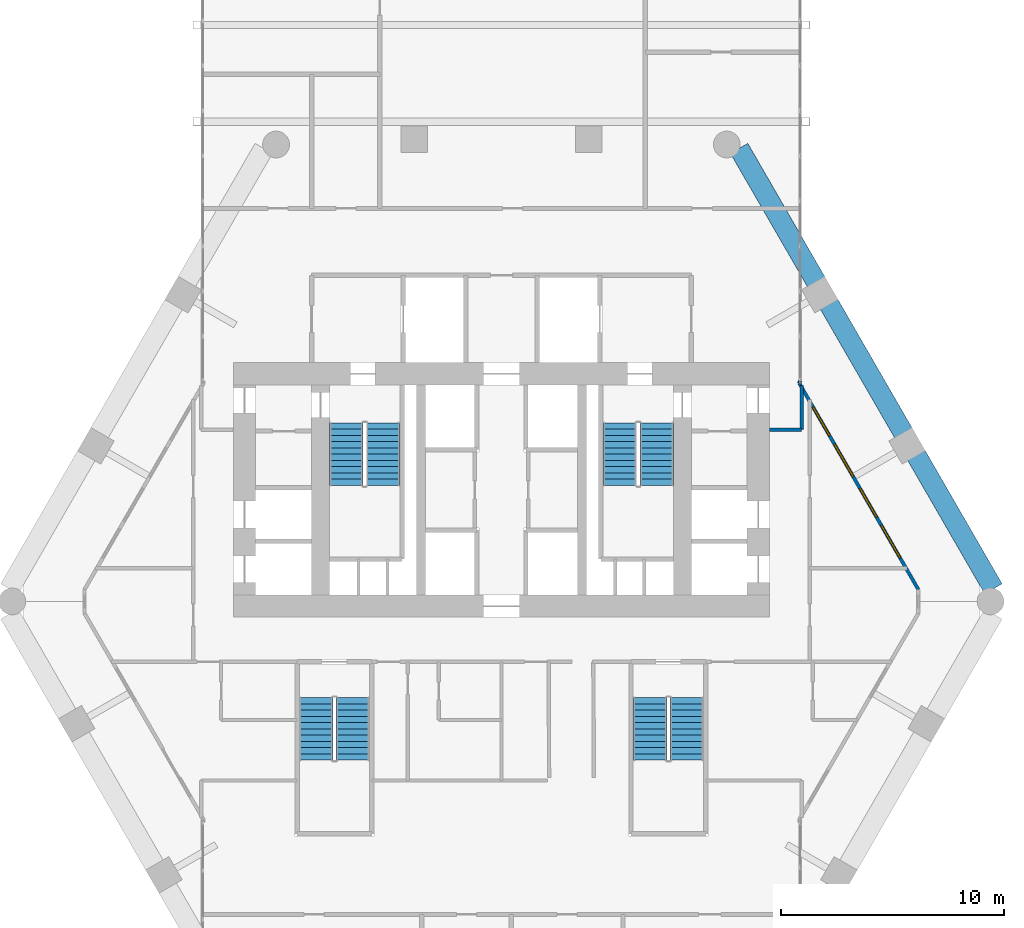
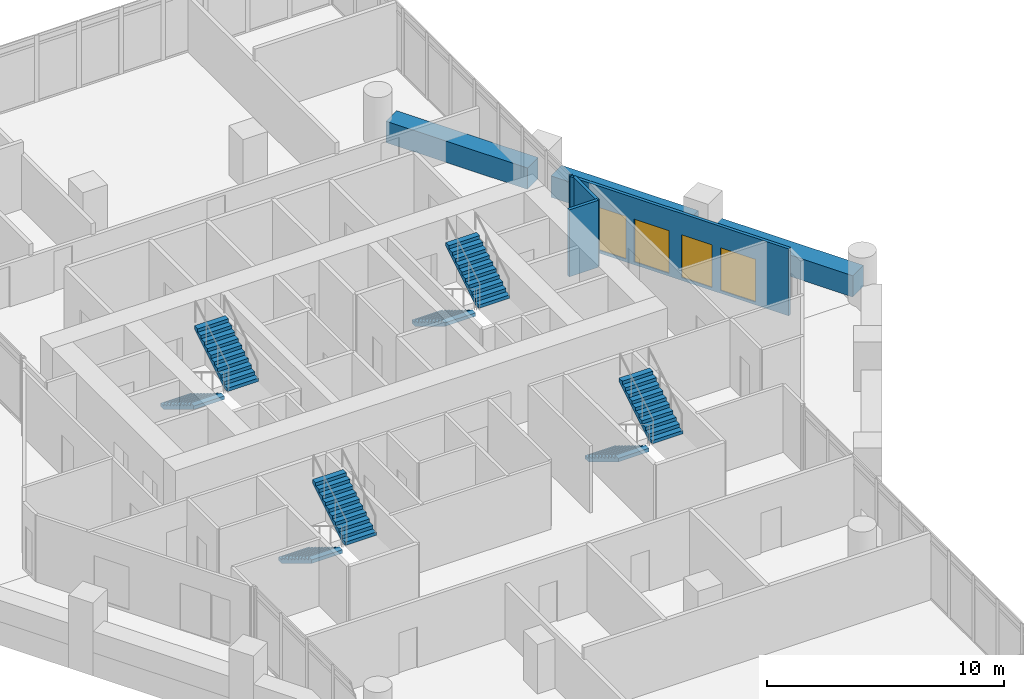
# One storey, part 27 of 28: 8 stair flights, 7 walls, 4 windows, 4 openings, 4 elements without a shape of their own.
"""IFC4 building model written with IfcOpenShell, lengths in metres."""

from ifc_helpers import new_model, si_unit, direction, frame, frame_2d, origin, place, context, subcontext, project, spatial, polyline, rectangle, outline, extrude, material, layer, layer_set, type_object, element, fill, aggregate, save


model = new_model("IFC4")

# Units and contexts
model_context = context("Model", 3, precision=1e-05, world=origin(), true_north=direction((0.0, 1.0)))
body_context = subcontext(model_context, "Body", "Model", "MODEL_VIEW")
ifc_project = project(units=[si_unit("LENGTHUNIT", "METRE"), si_unit("AREAUNIT", "SQUARE_METRE"), si_unit("VOLUMEUNIT", "CUBIC_METRE"), si_unit("PLANEANGLEUNIT", "RADIAN"), si_unit("MASSUNIT", "GRAM", prefix="KILO")], contexts=[model_context])

# Site, building, storey
site_placement = place(None, origin())
site = spatial("IfcSite", under=ifc_project, at=site_placement, CompositionType="ELEMENT")
building_placement = place(site_placement, origin())
building = spatial("IfcBuilding", under=site, at=building_placement, Name="Ostrander Bayou Hotel Tower", CompositionType="ELEMENT")
storey_placement = place(building_placement, frame((0.0, 0.0, 134.75)))
storey = spatial("IfcBuildingStorey", under=building, at=storey_placement, Name="L33", CompositionType="ELEMENT", Elevation=134.75)

# Wall, openings, windows
ifc_material_1 = material(Name="Aluminium framed insulated wall", Category="aluminium")
ifc_layer_1 = layer(ifc_material_1, 0.14990234375)
ifc_layer_set_1 = layer_set([ifc_layer_1], Name="GW1 glass-line wall 150 mm")
wall_type_1 = type_object("IfcWallType", Name="GW1 glass-line wall 150 mm", PredefinedType="SOLIDWALL", material=ifc_layer_set_1)
wall_1_placement = place(storey_placement, frame((18.66259765625, -0.460205078125, 0.0), z_axis=(0.0, 0.0, 1.0), x_axis=(-0.499997430087, 0.866026887519, 0.0)))
wall_1 = element("IfcWall", 1, at=wall_1_placement, inside=storey, type_object=wall_type_1, Name="GW1 L33 NE 1", PredefinedType="SOLIDWALL", context=body_context, shape_type="SweptSolid", body=[
    extrude(rectangle(XDim=10.6572265625, YDim=0.14990234375, at=frame_2d((5.32861328125, 0.0))), origin(), (0.0, 0.0, 1.0), 3.449951171875),
])
opening_1_placement = place(wall_1_placement, frame((1.6298828125, 0.0, 0.14990234375)))
opening_1 = element("IfcOpeningElement", 2, at=opening_1_placement, cuts=wall_1, Name="Opening W8", PredefinedType="OPENING", context=body_context, shape_type="SweptSolid", body=[
    extrude(rectangle(XDim=1.699951171875, YDim=2.199951171875, at=frame_2d((0.85009765625, 1.10009765625))), frame((0.0, 0.074951171875, 0.0), z_axis=(0.0, -1.0, 0.0), x_axis=(1.0, 0.0, 0.0)), (0.0, 0.0, 1.0), 0.14990234375),
])
opening_2_placement = place(wall_1_placement, frame((3.72998046875, 0.0, 0.14990234375)))
opening_2 = element("IfcOpeningElement", 3, at=opening_2_placement, cuts=wall_1, Name="Opening W12", PredefinedType="OPENING", context=body_context, shape_type="SweptSolid", body=[
    extrude(rectangle(XDim=1.5, YDim=2.199951171875, at=frame_2d((0.75, 1.10009765625))), frame((0.0, 0.074951171875, 0.0), z_axis=(0.0, -1.0, 0.0), x_axis=(1.0, 0.0, 0.0)), (0.0, 0.0, 1.0), 0.14990234375),
])
opening_3_placement = place(wall_1_placement, frame((5.830078125, 0.0, 0.14990234375)))
opening_3 = element("IfcOpeningElement", 4, at=opening_3_placement, cuts=wall_1, Name="Opening W8", PredefinedType="OPENING", context=body_context, shape_type="SweptSolid", body=[
    extrude(rectangle(XDim=1.699951171875, YDim=2.199951171875, at=frame_2d((0.85009765625, 1.10009765625))), frame((0.0, 0.074951171875, 0.0), z_axis=(0.0, -1.0, 0.0), x_axis=(1.0, 0.0, 0.0)), (0.0, 0.0, 1.0), 0.14990234375),
])
opening_4_placement = place(wall_1_placement, frame((7.929931640625, 0.0, 0.14990234375)))
opening_4 = element("IfcOpeningElement", 5, at=opening_4_placement, cuts=wall_1, Name="Opening W12", PredefinedType="OPENING", context=body_context, shape_type="SweptSolid", body=[
    extrude(rectangle(XDim=1.5, YDim=2.199951171875, at=frame_2d((0.75, 1.10009765625))), frame((0.0, 0.074951171875, 0.0), z_axis=(0.0, -1.0, 0.0), x_axis=(1.0, 0.0, 0.0)), (0.0, 0.0, 1.0), 0.14990234375),
])
ifc_material_2 = material(Name="Aluminium and clear glass", Category="aluminium")
window_type_1 = type_object("IfcWindowType", Name="W12 fixed window 1500 mm, bath bay, zone 2", PartitioningType="SINGLE_PANEL", PredefinedType="WINDOW", material=ifc_material_2)
window_1_placement = place(opening_2_placement, origin())
window_1 = element("IfcWindow", 6, at=window_1_placement, inside=storey, type_object=window_type_1, Name="W12 L33 NE 1", OverallHeight=2.199951171875, OverallWidth=1.5, PartitioningType="SINGLE_PANEL", PredefinedType="WINDOW", context=body_context, shape_type="SweptSolid", body=[
    extrude(rectangle(XDim=1.5, YDim=2.199951171875, at=frame_2d((0.75, 1.10009765625))), frame((0.0, 0.030029296875, 0.0), z_axis=(0.0, -1.0, 0.0), x_axis=(1.0, 0.0, 0.0)), (0.0, 0.0, 1.0), 0.06005859375),
])
fill(opening_2, window_1)
window_2_placement = place(opening_4_placement, origin())
window_2 = element("IfcWindow", 7, at=window_2_placement, inside=storey, type_object=window_type_1, Name="W12 L33 NE 2", OverallHeight=2.199951171875, OverallWidth=1.5, PartitioningType="SINGLE_PANEL", PredefinedType="WINDOW", context=body_context, shape_type="SweptSolid", body=[
    extrude(rectangle(XDim=1.5, YDim=2.199951171875, at=frame_2d((0.75, 1.10009765625))), frame((0.0, 0.030029296875, 0.0), z_axis=(0.0, -1.0, 0.0), x_axis=(1.0, 0.0, 0.0)), (0.0, 0.0, 1.0), 0.06005859375),
])
fill(opening_4, window_2)
ifc_material_3 = material(Name="Aluminium and clear glass", Category="aluminium")
window_type_2 = type_object("IfcWindowType", Name="W8 fixed window 1700 mm, bar storeys, zone 2", PartitioningType="SINGLE_PANEL", PredefinedType="WINDOW", material=ifc_material_3)
window_3_placement = place(opening_1_placement, origin())
window_3 = element("IfcWindow", 8, at=window_3_placement, inside=storey, type_object=window_type_2, Name="W8 L33 NE 1", OverallHeight=2.199951171875, OverallWidth=1.699951171875, PartitioningType="SINGLE_PANEL", PredefinedType="WINDOW", context=body_context, shape_type="SweptSolid", body=[
    extrude(rectangle(XDim=1.699951171875, YDim=2.199951171875, at=frame_2d((0.85009765625, 1.10009765625))), frame((0.0, 0.030029296875, 0.0), z_axis=(0.0, -1.0, 0.0), x_axis=(1.0, 0.0, 0.0)), (0.0, 0.0, 1.0), 0.06005859375),
])
fill(opening_1, window_3)
window_4_placement = place(opening_3_placement, origin())
window_4 = element("IfcWindow", 9, at=window_4_placement, inside=storey, type_object=window_type_2, Name="W8 L33 NE 2", OverallHeight=2.199951171875, OverallWidth=1.699951171875, PartitioningType="SINGLE_PANEL", PredefinedType="WINDOW", context=body_context, shape_type="SweptSolid", body=[
    extrude(rectangle(XDim=1.699951171875, YDim=2.199951171875, at=frame_2d((0.85009765625, 1.10009765625))), frame((0.0, 0.030029296875, 0.0), z_axis=(0.0, -1.0, 0.0), x_axis=(1.0, 0.0, 0.0)), (0.0, 0.0, 1.0), 0.06005859375),
])
fill(opening_3, window_4)

# Walls
wall_2_placement = place(storey_placement, frame((13.333984375, 8.769287109375, 0.0), z_axis=(0.0, 0.0, 1.0), x_axis=(0.337751931921, 0.941235163221, 0.0)))
element("IfcWall", 10, at=wall_2_placement, inside=storey, type_object=wall_type_1, Name="GW1 L33 bar joint 4", PredefinedType="SOLIDWALL", context=body_context, shape_type="SweptSolid", body=[
    extrude(rectangle(XDim=0.098388671875, YDim=0.14990234375, at=frame_2d((0.04931640625, 0.0))), origin(), (0.0, 0.0, 1.0), 3.449951171875),
])
ifc_material_4 = material(Name="Concrete f'c 40 MPa", Category="concrete")
ifc_layer_2 = layer(ifc_material_4, 0.89990234375)
ifc_layer_set_2 = layer_set([ifc_layer_2], Name="PA1 stone-faced parapet 900 mm")
wall_type_2 = type_object("IfcWallType", Name="PA1 stone-faced parapet 900 mm", PredefinedType="PARAPET", material=ifc_layer_set_2)
wall_3_placement = place(storey_placement, frame((22.022216796875, -0.42919921875, 0.0), z_axis=(0.0, 0.0, 1.0), x_axis=(-0.500017246033, 0.866015446554, 0.0)))
element("IfcWall", 11, at=wall_3_placement, inside=storey, type_object=wall_type_2, Name="PA1 L33 NE-1", PredefinedType="PARAPET", context=body_context, shape_type="SweptSolid", body=[
    extrude(rectangle(XDim=6.906005859375, YDim=0.89990234375, at=frame_2d((3.453125, 0.0))), origin(), (0.0, 0.0, 1.0), 1.10009765625),
])
wall_4_placement = place(storey_placement, frame((17.999267578125, 6.538818359375, 0.0), z_axis=(0.0, 0.0, 1.0), x_axis=(-0.50001062018, 0.866019272134, 0.0)))
element("IfcWall", 12, at=wall_4_placement, inside=storey, type_object=wall_type_2, Name="PA1 L33 NE-2", PredefinedType="PARAPET", context=body_context, shape_type="SweptSolid", body=[
    extrude(rectangle(XDim=6.673583984375, YDim=0.89990234375, at=frame_2d((3.3369140625, 0.0))), origin(), (0.0, 0.0, 1.0), 1.10009765625),
])
wall_5_placement = place(storey_placement, frame((14.09228515625, 13.3056640625, 0.0), z_axis=(0.0, 0.0, 1.0), x_axis=(-0.499990732016, 0.866030754592, 0.0)))
element("IfcWall", 13, at=wall_5_placement, inside=storey, type_object=wall_type_2, Name="PA1 L33 NE-3", PredefinedType="PARAPET", context=body_context, shape_type="SweptSolid", body=[
    extrude(rectangle(XDim=6.906005859375, YDim=0.89990234375, at=frame_2d((3.453125, 0.0))), origin(), (0.0, 0.0, 1.0), 1.10009765625),
])
ifc_material_5 = material(Name="Gypsum board partition", Category="finish")
ifc_layer_3 = layer(ifc_material_5, 0.14990234375)
ifc_layer_set_3 = layer_set([ifc_layer_3], Name="PT8 service band wall 150 mm, 1 hour")
wall_type_3 = type_object("IfcWallType", Name="PT8 service band wall 150 mm, 1 hour", PredefinedType="PARTITIONING", material=ifc_layer_set_3)
wall_6_placement = place(storey_placement, frame((12.010009765625, 6.695068359375, 0.0), z_axis=(0.0, 0.0, 1.0), x_axis=(1.0, 0.0, 0.0)))
element("IfcWall", 14, at=wall_6_placement, inside=storey, type_object=wall_type_3, Name="gw:L33:014", PredefinedType="PARTITIONING", context=body_context, shape_type="SweptSolid", body=[
    extrude(rectangle(XDim=1.429931640625, YDim=0.14990234375, at=frame_2d((0.71484375, 0.0))), origin(), (0.0, 0.0, 1.0), 3.449951171875),
])
wall_7_placement = place(storey_placement, frame((13.43994140625, 6.695068359375, 0.0), z_axis=(0.0, 0.0, 1.0), x_axis=(0.0, 1.0, 0.0)))
element("IfcWall", 15, at=wall_7_placement, inside=storey, type_object=wall_type_3, Name="gw:L33:018", PredefinedType="PARTITIONING", context=body_context, shape_type="SweptSolid", body=[
    extrude(rectangle(XDim=1.98095703125, YDim=0.14990234375, at=frame_2d((0.990478515625, 0.0))), origin(), (0.0, 0.0, 1.0), 3.449951171875),
])

# Stair, stair flights
ifc_material_6 = material(Name="Concrete f'c 45 MPa", Category="concrete")
stair_type = type_object("IfcStairType", Name="ST1 exit stair 1500 mm f'c 45 MPa", PredefinedType="HALF_TURN_STAIR", material=ifc_material_6)
stair_1_placement = place(storey_placement, origin())
stair_1 = element("IfcStair", 16, at=stair_1_placement, inside=storey, type_object=stair_type, Name="L33 exit stair A", PredefinedType="HALF_TURN_STAIR")
ifc_material_7 = material(Name="Concrete f'c 45 MPa", Category="concrete")
stair_flight_type = type_object("IfcStairFlightType", Name="SF1 stair flight 1500 mm f'c 45 MPa", PredefinedType="STRAIGHT", material=ifc_material_7)
stair_flight_1_placement = place(storey_placement, frame((-6.949951171875, 7.0, 0.0), z_axis=(0.0, 0.0, 1.0), x_axis=(0.0, -1.0, 0.0)))
stair_flight_1 = element("IfcStairFlight", 17, at=stair_flight_1_placement, type_object=stair_flight_type, Name="STA flight 1", NumberOfRisers=11, NumberOfTreads=10, PredefinedType="STRAIGHT", RiserHeight=0.170454545, TreadLength=0.28, context=body_context, shape_type="SweptSolid", body=[
    extrude(outline(polyline([(0.0, 0.0), (0.0, 0.17041015625), (0.280029296875, 0.17041015625), (0.280029296875, 0.3408203125), (0.56005859375, 0.3408203125), (0.56005859375, 0.511474609375), (0.840087890625, 0.511474609375), (0.840087890625, 0.681884765625), (1.1201171875, 0.681884765625), (1.1201171875, 0.852294921875), (1.39990234375, 0.852294921875), (1.39990234375, 1.022705078125), (1.679931640625, 1.022705078125), (1.679931640625, 1.193115234375), (1.9599609375, 1.193115234375), (1.9599609375, 1.363525390625), (2.239990234375, 1.363525390625), (2.239990234375, 1.5341796875), (2.52001953125, 1.5341796875), (2.52001953125, 1.70458984375), (2.800048828125, 1.70458984375), (2.800048828125, 1.875), (2.800048828125, 1.529052734375), (0.288330078125, 0.0), (0.0, 0.0)])), frame((0.0, 0.75, 0.0), z_axis=(0.0, -1.0, 0.0), x_axis=(1.0, 0.0, 0.0)), (0.0, 0.0, 1.0), 1.5),
])
stair_flight_2_placement = place(storey_placement, frame((-5.300048828125, 4.199951171875, 1.875), z_axis=(0.0, 0.0, 1.0), x_axis=(0.0, 1.0, 0.0)))
stair_flight_2 = element("IfcStairFlight", 18, at=stair_flight_2_placement, type_object=stair_flight_type, Name="STA flight 2", NumberOfRisers=11, NumberOfTreads=10, PredefinedType="STRAIGHT", RiserHeight=0.170454545, TreadLength=0.28, context=body_context, shape_type="SweptSolid", body=[
    extrude(outline(polyline([(0.0, 0.0), (0.0, 0.17041015625), (0.280029296875, 0.17041015625), (0.280029296875, 0.3408203125), (0.56005859375, 0.3408203125), (0.56005859375, 0.511474609375), (0.840087890625, 0.511474609375), (0.840087890625, 0.681884765625), (1.1201171875, 0.681884765625), (1.1201171875, 0.852294921875), (1.39990234375, 0.852294921875), (1.39990234375, 1.022705078125), (1.679931640625, 1.022705078125), (1.679931640625, 1.193115234375), (1.9599609375, 1.193115234375), (1.9599609375, 1.363525390625), (2.239990234375, 1.363525390625), (2.239990234375, 1.5341796875), (2.52001953125, 1.5341796875), (2.52001953125, 1.70458984375), (2.800048828125, 1.70458984375), (2.800048828125, 1.875), (2.800048828125, 1.529052734375), (0.288330078125, 0.0), (0.0, 0.0)])), frame((0.0, 0.75, 0.0), z_axis=(0.0, -1.0, 0.0), x_axis=(1.0, 0.0, 0.0)), (0.0, 0.0, 1.0), 1.5),
])
aggregate(stair_1, [stair_flight_1, stair_flight_2])

stair_2_placement = place(storey_placement, origin())
stair_2 = element("IfcStair", 19, at=stair_2_placement, inside=storey, type_object=stair_type, Name="L33 exit stair B", PredefinedType="HALF_TURN_STAIR")
stair_flight_3_placement = place(storey_placement, frame((5.300048828125, 7.0, 0.0), z_axis=(0.0, 0.0, 1.0), x_axis=(0.0, -1.0, 0.0)))
stair_flight_3 = element("IfcStairFlight", 20, at=stair_flight_3_placement, type_object=stair_flight_type, Name="STB flight 1", NumberOfRisers=11, NumberOfTreads=10, PredefinedType="STRAIGHT", RiserHeight=0.170454545, TreadLength=0.28, context=body_context, shape_type="SweptSolid", body=[
    extrude(outline(polyline([(0.0, 0.0), (0.0, 0.17041015625), (0.280029296875, 0.17041015625), (0.280029296875, 0.3408203125), (0.56005859375, 0.3408203125), (0.56005859375, 0.511474609375), (0.840087890625, 0.511474609375), (0.840087890625, 0.681884765625), (1.1201171875, 0.681884765625), (1.1201171875, 0.852294921875), (1.39990234375, 0.852294921875), (1.39990234375, 1.022705078125), (1.679931640625, 1.022705078125), (1.679931640625, 1.193115234375), (1.9599609375, 1.193115234375), (1.9599609375, 1.363525390625), (2.239990234375, 1.363525390625), (2.239990234375, 1.5341796875), (2.52001953125, 1.5341796875), (2.52001953125, 1.70458984375), (2.800048828125, 1.70458984375), (2.800048828125, 1.875), (2.800048828125, 1.529052734375), (0.288330078125, 0.0), (0.0, 0.0)])), frame((0.0, 0.75, 0.0), z_axis=(0.0, -1.0, 0.0), x_axis=(1.0, 0.0, 0.0)), (0.0, 0.0, 1.0), 1.5),
])
stair_flight_4_placement = place(storey_placement, frame((6.949951171875, 4.199951171875, 1.875), z_axis=(0.0, 0.0, 1.0), x_axis=(0.0, 1.0, 0.0)))
stair_flight_4 = element("IfcStairFlight", 21, at=stair_flight_4_placement, type_object=stair_flight_type, Name="STB flight 2", NumberOfRisers=11, NumberOfTreads=10, PredefinedType="STRAIGHT", RiserHeight=0.170454545, TreadLength=0.28, context=body_context, shape_type="SweptSolid", body=[
    extrude(outline(polyline([(0.0, 0.0), (0.0, 0.17041015625), (0.280029296875, 0.17041015625), (0.280029296875, 0.3408203125), (0.56005859375, 0.3408203125), (0.56005859375, 0.511474609375), (0.840087890625, 0.511474609375), (0.840087890625, 0.681884765625), (1.1201171875, 0.681884765625), (1.1201171875, 0.852294921875), (1.39990234375, 0.852294921875), (1.39990234375, 1.022705078125), (1.679931640625, 1.022705078125), (1.679931640625, 1.193115234375), (1.9599609375, 1.193115234375), (1.9599609375, 1.363525390625), (2.239990234375, 1.363525390625), (2.239990234375, 1.5341796875), (2.52001953125, 1.5341796875), (2.52001953125, 1.70458984375), (2.800048828125, 1.70458984375), (2.800048828125, 1.875), (2.800048828125, 1.529052734375), (0.288330078125, 0.0), (0.0, 0.0)])), frame((0.0, 0.75, 0.0), z_axis=(0.0, -1.0, 0.0), x_axis=(1.0, 0.0, 0.0)), (0.0, 0.0, 1.0), 1.5),
])
aggregate(stair_2, [stair_flight_3, stair_flight_4])

stair_3_placement = place(storey_placement, origin())
stair_3 = element("IfcStair", 22, at=stair_3_placement, inside=storey, type_object=stair_type, Name="L33 exit stair C", PredefinedType="HALF_TURN_STAIR")
stair_flight_5_placement = place(storey_placement, frame((6.64990234375, -5.300048828125, 0.0), z_axis=(0.0, 0.0, 1.0), x_axis=(0.0, -1.0, 0.0)))
stair_flight_5 = element("IfcStairFlight", 23, at=stair_flight_5_placement, type_object=stair_flight_type, Name="STC flight 1", NumberOfRisers=11, NumberOfTreads=10, PredefinedType="STRAIGHT", RiserHeight=0.170454545, TreadLength=0.28, context=body_context, shape_type="SweptSolid", body=[
    extrude(outline(polyline([(0.0, 0.0), (0.0, 0.17041015625), (0.280029296875, 0.17041015625), (0.280029296875, 0.3408203125), (0.56005859375, 0.3408203125), (0.56005859375, 0.511474609375), (0.840087890625, 0.511474609375), (0.840087890625, 0.681884765625), (1.1201171875, 0.681884765625), (1.1201171875, 0.852294921875), (1.39990234375, 0.852294921875), (1.39990234375, 1.022705078125), (1.679931640625, 1.022705078125), (1.679931640625, 1.193115234375), (1.9599609375, 1.193115234375), (1.9599609375, 1.363525390625), (2.239990234375, 1.363525390625), (2.239990234375, 1.5341796875), (2.52001953125, 1.5341796875), (2.52001953125, 1.70458984375), (2.800048828125, 1.70458984375), (2.800048828125, 1.875), (2.800048828125, 1.529052734375), (0.288330078125, 0.0), (0.0, 0.0)])), frame((0.0, 0.75, 0.0), z_axis=(0.0, -1.0, 0.0), x_axis=(1.0, 0.0, 0.0)), (0.0, 0.0, 1.0), 1.5),
])
stair_flight_6_placement = place(storey_placement, frame((8.300048828125, -8.10009765625, 1.875), z_axis=(0.0, 0.0, 1.0), x_axis=(0.0, 1.0, 0.0)))
stair_flight_6 = element("IfcStairFlight", 24, at=stair_flight_6_placement, type_object=stair_flight_type, Name="STC flight 2", NumberOfRisers=11, NumberOfTreads=10, PredefinedType="STRAIGHT", RiserHeight=0.170454545, TreadLength=0.28, context=body_context, shape_type="SweptSolid", body=[
    extrude(outline(polyline([(0.0, 0.0), (0.0, 0.17041015625), (0.280029296875, 0.17041015625), (0.280029296875, 0.3408203125), (0.56005859375, 0.3408203125), (0.56005859375, 0.511474609375), (0.840087890625, 0.511474609375), (0.840087890625, 0.681884765625), (1.1201171875, 0.681884765625), (1.1201171875, 0.852294921875), (1.39990234375, 0.852294921875), (1.39990234375, 1.022705078125), (1.679931640625, 1.022705078125), (1.679931640625, 1.193115234375), (1.9599609375, 1.193115234375), (1.9599609375, 1.363525390625), (2.239990234375, 1.363525390625), (2.239990234375, 1.5341796875), (2.52001953125, 1.5341796875), (2.52001953125, 1.70458984375), (2.800048828125, 1.70458984375), (2.800048828125, 1.875), (2.800048828125, 1.529052734375), (0.288330078125, 0.0), (0.0, 0.0)])), frame((0.0, 0.75, 0.0), z_axis=(0.0, -1.0, 0.0), x_axis=(1.0, 0.0, 0.0)), (0.0, 0.0, 1.0), 1.5),
])
aggregate(stair_3, [stair_flight_5, stair_flight_6])

stair_4_placement = place(storey_placement, origin())
stair_4 = element("IfcStair", 25, at=stair_4_placement, inside=storey, type_object=stair_type, Name="L33 exit stair D", PredefinedType="HALF_TURN_STAIR")
stair_flight_7_placement = place(storey_placement, frame((-8.300048828125, -5.300048828125, 0.0), z_axis=(0.0, 0.0, 1.0), x_axis=(0.0, -1.0, 0.0)))
stair_flight_7 = element("IfcStairFlight", 26, at=stair_flight_7_placement, type_object=stair_flight_type, Name="STD flight 1", NumberOfRisers=11, NumberOfTreads=10, PredefinedType="STRAIGHT", RiserHeight=0.170454545, TreadLength=0.28, context=body_context, shape_type="SweptSolid", body=[
    extrude(outline(polyline([(0.0, 0.0), (0.0, 0.17041015625), (0.280029296875, 0.17041015625), (0.280029296875, 0.3408203125), (0.56005859375, 0.3408203125), (0.56005859375, 0.511474609375), (0.840087890625, 0.511474609375), (0.840087890625, 0.681884765625), (1.1201171875, 0.681884765625), (1.1201171875, 0.852294921875), (1.39990234375, 0.852294921875), (1.39990234375, 1.022705078125), (1.679931640625, 1.022705078125), (1.679931640625, 1.193115234375), (1.9599609375, 1.193115234375), (1.9599609375, 1.363525390625), (2.239990234375, 1.363525390625), (2.239990234375, 1.5341796875), (2.52001953125, 1.5341796875), (2.52001953125, 1.70458984375), (2.800048828125, 1.70458984375), (2.800048828125, 1.875), (2.800048828125, 1.529052734375), (0.288330078125, 0.0), (0.0, 0.0)])), frame((0.0, 0.75, 0.0), z_axis=(0.0, -1.0, 0.0), x_axis=(1.0, 0.0, 0.0)), (0.0, 0.0, 1.0), 1.5),
])
stair_flight_8_placement = place(storey_placement, frame((-6.64990234375, -8.10009765625, 1.875), z_axis=(0.0, 0.0, 1.0), x_axis=(0.0, 1.0, 0.0)))
stair_flight_8 = element("IfcStairFlight", 27, at=stair_flight_8_placement, type_object=stair_flight_type, Name="STD flight 2", NumberOfRisers=11, NumberOfTreads=10, PredefinedType="STRAIGHT", RiserHeight=0.170454545, TreadLength=0.28, context=body_context, shape_type="SweptSolid", body=[
    extrude(outline(polyline([(0.0, 0.0), (0.0, 0.17041015625), (0.280029296875, 0.17041015625), (0.280029296875, 0.3408203125), (0.56005859375, 0.3408203125), (0.56005859375, 0.511474609375), (0.840087890625, 0.511474609375), (0.840087890625, 0.681884765625), (1.1201171875, 0.681884765625), (1.1201171875, 0.852294921875), (1.39990234375, 0.852294921875), (1.39990234375, 1.022705078125), (1.679931640625, 1.022705078125), (1.679931640625, 1.193115234375), (1.9599609375, 1.193115234375), (1.9599609375, 1.363525390625), (2.239990234375, 1.363525390625), (2.239990234375, 1.5341796875), (2.52001953125, 1.5341796875), (2.52001953125, 1.70458984375), (2.800048828125, 1.70458984375), (2.800048828125, 1.875), (2.800048828125, 1.529052734375), (0.288330078125, 0.0), (0.0, 0.0)])), frame((0.0, 0.75, 0.0), z_axis=(0.0, -1.0, 0.0), x_axis=(1.0, 0.0, 0.0)), (0.0, 0.0, 1.0), 1.5),
])
aggregate(stair_4, [stair_flight_7, stair_flight_8])

save(model, "model.ifc")
